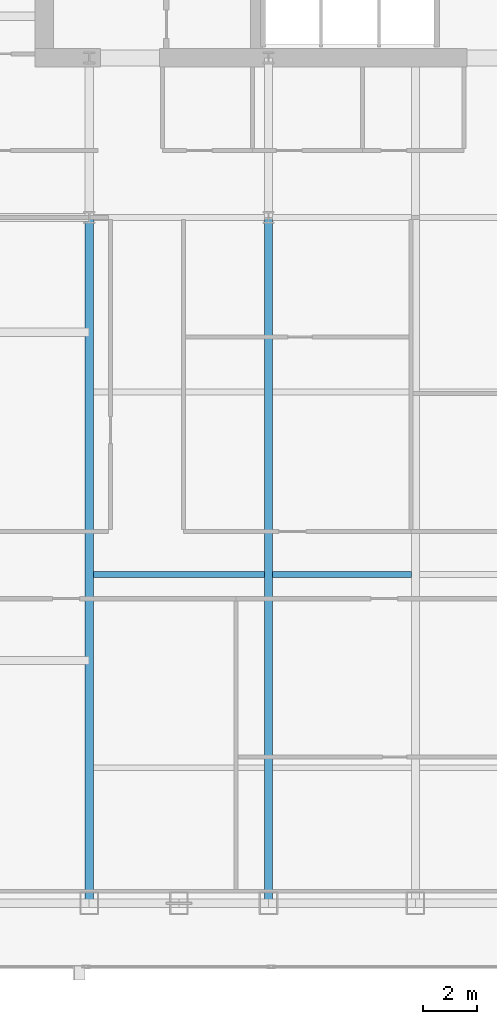
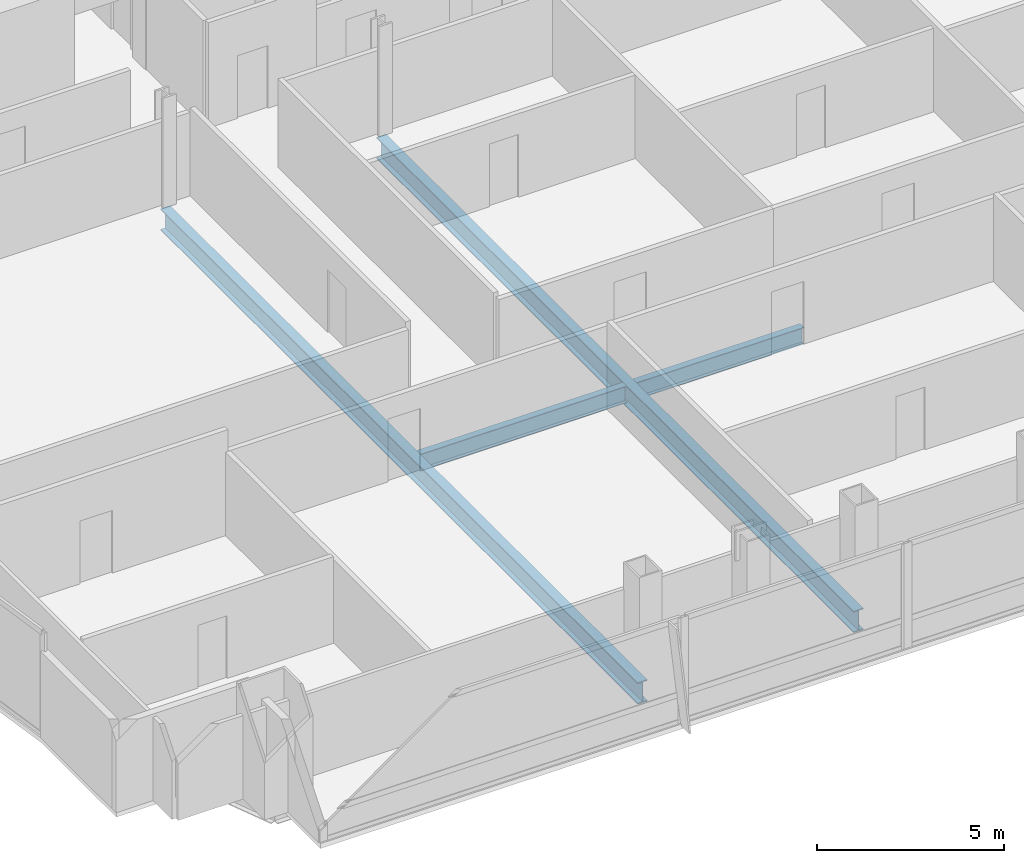
# One storey, part 9 of 32: 4 beams.
"""IFC4 building model written with IfcOpenShell, lengths in metres."""

from ifc_helpers import new_model, si_unit, direction, frame, origin, origin_2d, place, context, subcontext, project, spatial, i_section, extrude, material, material_profile, profile_set, type_object, element, save


model = new_model("IFC4")

# Units and contexts
model_context = context("Model", 3, precision=1e-05, world=origin(), true_north=direction((0.0, 1.0)))
body_context = subcontext(model_context, "Body", "Model", "MODEL_VIEW")
ifc_project = project(units=[si_unit("LENGTHUNIT", "METRE"), si_unit("AREAUNIT", "SQUARE_METRE"), si_unit("VOLUMEUNIT", "CUBIC_METRE"), si_unit("PLANEANGLEUNIT", "RADIAN"), si_unit("MASSUNIT", "GRAM", prefix="KILO")], contexts=[model_context])

# Site, building, storey
site_placement = place(None, origin())
site = spatial("IfcSite", under=ifc_project, at=site_placement, CompositionType="ELEMENT")
building_placement = place(site_placement, origin())
building = spatial("IfcBuilding", under=site, at=building_placement, Name="Khoronbel Lancet Exchange", CompositionType="ELEMENT")
storey_placement = place(building_placement, frame((0.0, 0.0, 125.39990234375)))
storey = spatial("IfcBuildingStorey", under=building, at=storey_placement, Name="L30", CompositionType="ELEMENT", Elevation=125.39990234375)

# Beams
ifc_material = material(Name="Steel S355", Category="steel")
ifc_material_profile_1 = material_profile(ifc_material, i_section(OverallWidth=0.300048828125, OverallDepth=0.699951171875, WebThickness=0.01708984375, FlangeThickness=0.031982421875, at=origin_2d()), Name="HEB 700")
ifc_profile_set_1 = profile_set([ifc_material_profile_1], Name="Steel S355")
beam_type_1 = type_object("IfcBeamType", Name="BM-BG3", PredefinedType="BEAM", material=ifc_profile_set_1)
for number, where, z_axis, x_axis, name in (
    (1, (18.22509765625, 10.14990234375, -0.510009765625), (0.0, 1.0, 0.0), (-1.0, 0.0, 0.0), "Level L30 south primary girder GS1"),
    (2, (24.89990234375, 10.14990234375, -0.510009765625), (0.0, 1.0, 0.0), (-1.0, 0.0, 0.0), "Level L30 south primary girder GS2"),
):
    element("IfcBeam", number, at=place(storey_placement, frame(where, z_axis=z_axis, x_axis=x_axis)), inside=storey, type_object=beam_type_1, Name=name, PredefinedType="BEAM", context=body_context, shape_type="SweptSolid", body=[
        extrude(i_section(OverallWidth=0.300048828125, OverallDepth=0.699951171875, WebThickness=0.01708984375, FlangeThickness=0.031982421875, at=origin_2d()), origin(), (0.0, 0.0, 1.0), 25.550048828125),
    ])
ifc_material_profile_2 = material_profile(ifc_material, i_section(OverallWidth=0.2099609375, OverallDepth=0.550048828125, WebThickness=0.010986328125, FlangeThickness=0.01708984375, at=origin_2d()), Name="IPE 550")
ifc_profile_set_2 = profile_set([ifc_material_profile_2], Name="Steel S355")
beam_type_2 = type_object("IfcBeamType", Name="BM-BJ2", PredefinedType="JOIST", material=ifc_profile_set_2)
beam_1_placement = place(storey_placement, frame((18.375, 22.39990234375, -0.434814453125), z_axis=(1.0, 0.0, 0.0), x_axis=(0.0, 1.0, 0.0)))
element("IfcBeam", 3, at=beam_1_placement, inside=storey, type_object=beam_type_2, Name="Level L30 secondary composite joist J06", PredefinedType="JOIST", context=body_context, shape_type="SweptSolid", body=[
    extrude(i_section(OverallWidth=0.2099609375, OverallDepth=0.550048828125, WebThickness=0.010986328125, FlangeThickness=0.01708984375, at=origin_2d()), origin(), (0.0, 0.0, 1.0), 6.375),
])
beam_2_placement = place(storey_placement, frame((25.050048828125, 22.39990234375, -0.434814453125), z_axis=(1.0, 0.0, 0.0), x_axis=(0.0, 1.0, 0.0)))
element("IfcBeam", 4, at=beam_2_placement, inside=storey, type_object=beam_type_2, Name="Level L30 secondary composite joist J07", PredefinedType="JOIST", context=body_context, shape_type="SweptSolid", body=[
    extrude(i_section(OverallWidth=0.2099609375, OverallDepth=0.550048828125, WebThickness=0.010986328125, FlangeThickness=0.01708984375, at=origin_2d()), origin(), (0.0, 0.0, 1.0), 5.175048828125),
])

save(model, "model.ifc")
